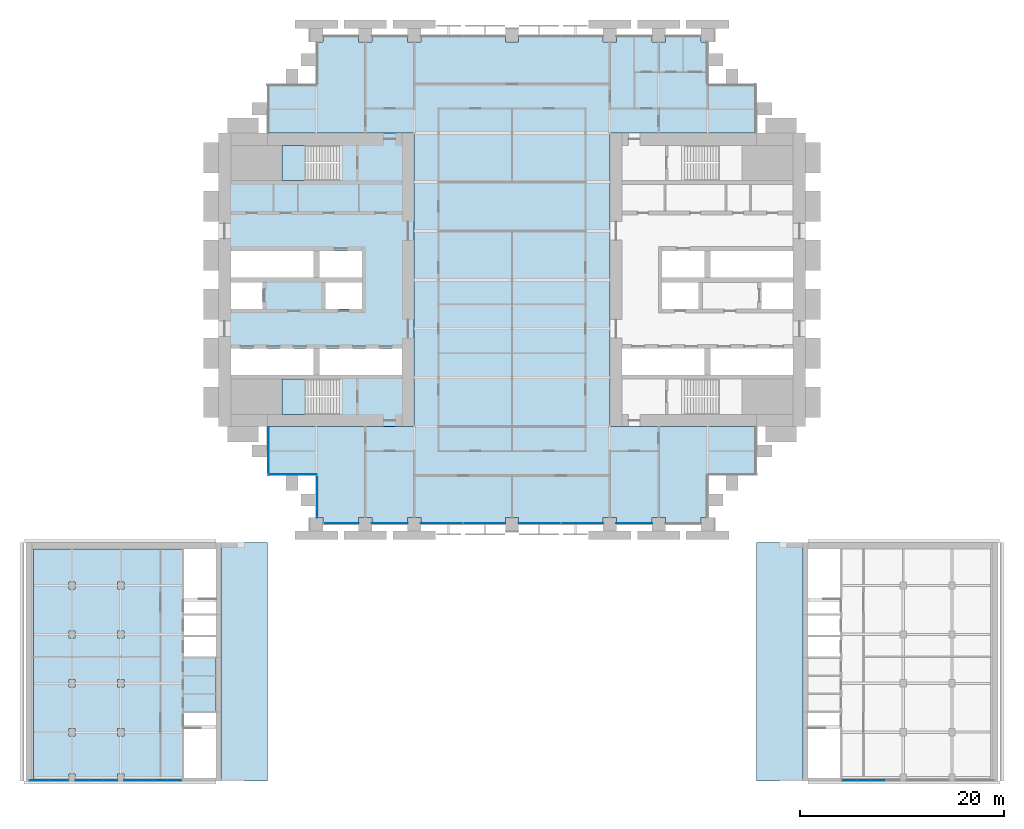
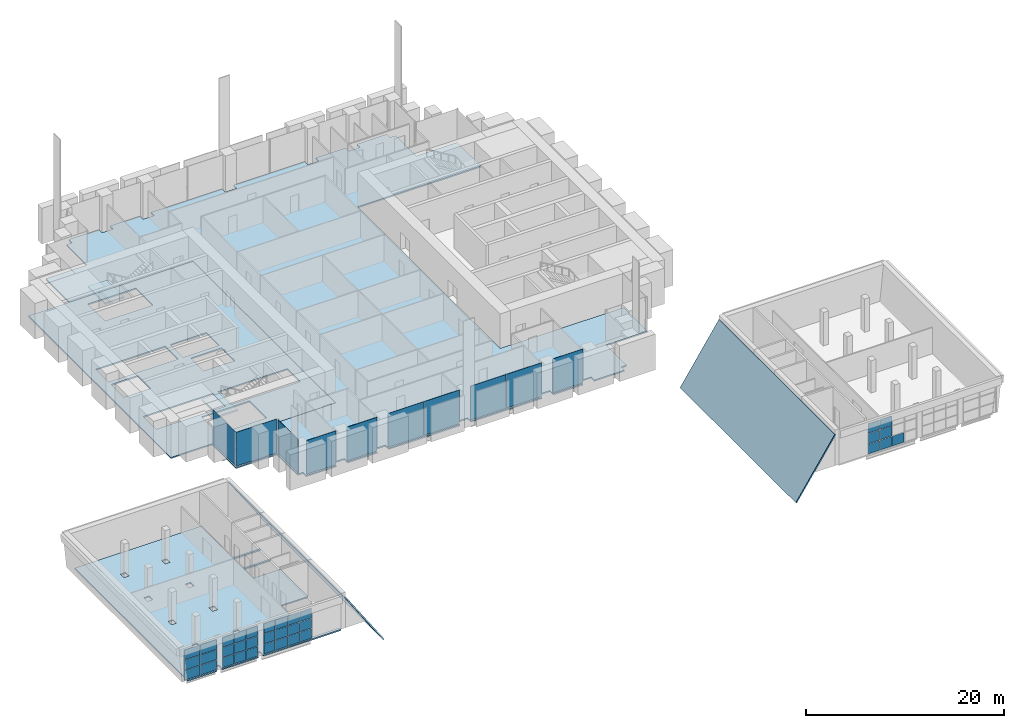
# One storey, part 14 of 22: 44 plates, 7 slabs, 10 elements without a shape of their own.
"""IFC4 building model written with IfcOpenShell, lengths in metres."""

from ifc_helpers import new_model, si_unit, direction, frame, origin, origin_2d, place, context, subcontext, project, spatial, polyline, rectangle, outline, extrude, material, layer, layer_set, type_object, element, aggregate, save


model = new_model("IFC4")

# Units and contexts
model_context = context("Model", 3, precision=1e-05, world=origin(), true_north=direction((0.0, 1.0)))
body_context = subcontext(model_context, "Body", "Model", "MODEL_VIEW")
ifc_project = project(units=[si_unit("LENGTHUNIT", "METRE"), si_unit("AREAUNIT", "SQUARE_METRE"), si_unit("VOLUMEUNIT", "CUBIC_METRE"), si_unit("PLANEANGLEUNIT", "RADIAN"), si_unit("MASSUNIT", "GRAM", prefix="KILO")], contexts=[model_context])

# Site, building, storey
site_placement = place(None, origin())
site = spatial("IfcSite", under=ifc_project, at=site_placement, CompositionType="ELEMENT")
building_placement = place(site_placement, origin())
building = spatial("IfcBuilding", under=site, at=building_placement, Name="Baori Bourse Tower", CompositionType="ELEMENT")
storey_placement = place(building_placement, frame((0.0, 0.0, 25.800048828125)))
storey = spatial("IfcBuildingStorey", under=building, at=storey_placement, Name="L04", CompositionType="ELEMENT", Elevation=25.800048828125)

# Curtain wall, plates
ifc_material_1 = material(Name="Pale anodised aluminium", Category="aluminium")
curtain_wall_type_1 = type_object("IfcCurtainWallType", Name="CW1 Curtain wall", PredefinedType="NOTDEFINED", material=ifc_material_1)
curtain_wall_1_placement = place(storey_placement, origin())
curtain_wall_1 = element("IfcCurtainWall", 1, at=curtain_wall_1_placement, inside=storey, type_object=curtain_wall_type_1, Name="Curtain wall CW1 L04 11", PredefinedType="NOTDEFINED")
ifc_material_2 = material(Name="Clear glass", Category="glass")
ifc_layer_1 = layer(ifc_material_2, 0.033935546875)
ifc_layer_set_1 = layer_set([ifc_layer_1], Name="CW1 Curtain wall panel")
plate_type_1 = type_object("IfcPlateType", Name="CW1 Curtain wall panel", PredefinedType="CURTAIN_PANEL", material=ifc_layer_set_1)
plate_1_placement = place(storey_placement, frame((12.030029296875, 0.10009765625, 0.080078125), z_axis=(0.0, 0.0, 1.0), x_axis=(1.0, 0.0, 0.0)))
plate_1 = element("IfcPlate", 2, at=plate_1_placement, type_object=plate_type_1, Name="Curtain wall CW1 panel", PredefinedType="CURTAIN_PANEL", context=body_context, shape_type="SweptSolid", body=[
    extrude(rectangle(XDim=3.43994140625, YDim=0.033935546875, at=origin_2d()), origin(), (0.0, 0.0, 1.0), 4.159912109375),
])
plate_2_placement = place(storey_placement, frame((16.800048828125, 0.10009765625, 0.080078125), z_axis=(0.0, 0.0, 1.0), x_axis=(1.0, 0.0, 0.0)))
plate_2 = element("IfcPlate", 3, at=plate_2_placement, type_object=plate_type_1, Name="Curtain wall CW1 panel", PredefinedType="CURTAIN_PANEL", context=body_context, shape_type="SweptSolid", body=[
    extrude(rectangle(XDim=3.5, YDim=0.033935546875, at=origin_2d()), origin(), (0.0, 0.0, 1.0), 4.159912109375),
])
plate_3_placement = place(storey_placement, frame((21.909912109375, 0.10009765625, 0.080078125), z_axis=(0.0, 0.0, 1.0), x_axis=(1.0, 0.0, 0.0)))
plate_3 = element("IfcPlate", 4, at=plate_3_placement, type_object=plate_type_1, Name="Curtain wall CW1 panel", PredefinedType="CURTAIN_PANEL", context=body_context, shape_type="SweptSolid", body=[
    extrude(rectangle(XDim=4.1201171875, YDim=0.033935546875, at=origin_2d()), origin(), (0.0, 0.0, 1.0), 4.159912109375),
])
plate_4_placement = place(storey_placement, frame((26.090087890625, 0.10009765625, 0.080078125), z_axis=(0.0, 0.0, 1.0), x_axis=(1.0, 0.0, 0.0)))
plate_4 = element("IfcPlate", 5, at=plate_4_placement, type_object=plate_type_1, Name="Curtain wall CW1 panel", PredefinedType="CURTAIN_PANEL", context=body_context, shape_type="SweptSolid", body=[
    extrude(rectangle(XDim=4.1201171875, YDim=0.033935546875, at=origin_2d()), origin(), (0.0, 0.0, 1.0), 4.159912109375),
])
plate_5_placement = place(storey_placement, frame((31.510009765625, 0.10009765625, 0.080078125), z_axis=(0.0, 0.0, 1.0), x_axis=(1.0, 0.0, 0.0)))
plate_5 = element("IfcPlate", 6, at=plate_5_placement, type_object=plate_type_1, Name="Curtain wall CW1 panel", PredefinedType="CURTAIN_PANEL", context=body_context, shape_type="SweptSolid", body=[
    extrude(rectangle(XDim=4.1201171875, YDim=0.033935546875, at=origin_2d()), origin(), (0.0, 0.0, 1.0), 4.159912109375),
])
plate_6_placement = place(storey_placement, frame((35.68994140625, 0.10009765625, 0.080078125), z_axis=(0.0, 0.0, 1.0), x_axis=(1.0, 0.0, 0.0)))
plate_6 = element("IfcPlate", 7, at=plate_6_placement, type_object=plate_type_1, Name="Curtain wall CW1 panel", PredefinedType="CURTAIN_PANEL", context=body_context, shape_type="SweptSolid", body=[
    extrude(rectangle(XDim=4.1201171875, YDim=0.033935546875, at=origin_2d()), origin(), (0.0, 0.0, 1.0), 4.159912109375),
])
plate_7_placement = place(storey_placement, frame((40.800048828125, 0.10009765625, 0.080078125), z_axis=(0.0, 0.0, 1.0), x_axis=(1.0, 0.0, 0.0)))
plate_7 = element("IfcPlate", 8, at=plate_7_placement, type_object=plate_type_1, Name="Curtain wall CW1 panel", PredefinedType="CURTAIN_PANEL", context=body_context, shape_type="SweptSolid", body=[
    extrude(rectangle(XDim=3.5, YDim=0.033935546875, at=origin_2d()), origin(), (0.0, 0.0, 1.0), 4.159912109375),
])
aggregate(curtain_wall_1, [plate_1, plate_2, plate_3, plate_4, plate_5, plate_6, plate_7])

# Curtain wall, plate
ifc_material_3 = material(Name="Pale anodised aluminium", Category="aluminium")
curtain_wall_type_2 = type_object("IfcCurtainWallType", Name="CW2 Curtain wall", PredefinedType="NOTDEFINED", material=ifc_material_3)
curtain_wall_2_placement = place(storey_placement, origin())
curtain_wall_2 = element("IfcCurtainWall", 9, at=curtain_wall_2_placement, inside=storey, type_object=curtain_wall_type_2, Name="Curtain wall CW2 L04 8", PredefinedType="NOTDEFINED")
ifc_material_4 = material(Name="Clear glass", Category="glass")
ifc_layer_2 = layer(ifc_material_4, 0.030029296875)
ifc_layer_set_2 = layer_set([ifc_layer_2], Name="CW2 Curtain wall panel")
plate_type_2 = type_object("IfcPlateType", Name="CW2 Curtain wall panel", PredefinedType="CURTAIN_PANEL", material=ifc_layer_set_2)
plate_8_placement = place(storey_placement, frame((4.889892578125, 7.172607421875, 0.070068359375), z_axis=(0.0, 0.0, 1.0), x_axis=(0.0, -1.0, 0.0)))
plate_8 = element("IfcPlate", 10, at=plate_8_placement, type_object=plate_type_2, Name="Curtain wall CW2 panel", PredefinedType="CURTAIN_PANEL", context=body_context, shape_type="SweptSolid", body=[
    extrude(rectangle(XDim=4.7451171875, YDim=0.030029296875, at=origin_2d()), origin(), (0.0, 0.0, 1.0), 4.169921875),
])
aggregate(curtain_wall_2, [plate_8])

curtain_wall_3_placement = place(storey_placement, origin())
curtain_wall_3 = element("IfcCurtainWall", 11, at=curtain_wall_3_placement, inside=storey, type_object=curtain_wall_type_2, Name="Curtain wall CW2 L04 9", PredefinedType="NOTDEFINED")
plate_9_placement = place(storey_placement, frame((7.2275390625, 4.889892578125, 0.070068359375), z_axis=(0.0, 0.0, 1.0), x_axis=(1.0, 0.0, 0.0)))
plate_9 = element("IfcPlate", 12, at=plate_9_placement, type_object=plate_type_2, Name="Curtain wall CW2 panel", PredefinedType="CURTAIN_PANEL", context=body_context, shape_type="SweptSolid", body=[
    extrude(rectangle(XDim=4.7451171875, YDim=0.030029296875, at=origin_2d()), origin(), (0.0, 0.0, 1.0), 4.169921875),
])
aggregate(curtain_wall_3, [plate_9])

curtain_wall_4_placement = place(storey_placement, origin())
curtain_wall_4 = element("IfcCurtainWall", 13, at=curtain_wall_4_placement, inside=storey, type_object=curtain_wall_type_2, Name="Curtain wall CW2 L04 10", PredefinedType="NOTDEFINED")
plate_10_placement = place(storey_placement, frame((9.68994140625, 2.697509765625, 0.070068359375), z_axis=(0.0, 0.0, 1.0), x_axis=(0.0, -1.0, 0.0)))
plate_10 = element("IfcPlate", 14, at=plate_10_placement, type_object=plate_type_2, Name="Curtain wall CW2 panel", PredefinedType="CURTAIN_PANEL", context=body_context, shape_type="SweptSolid", body=[
    extrude(rectangle(XDim=4.094970703125, YDim=0.030029296875, at=origin_2d()), origin(), (0.0, 0.0, 1.0), 4.169921875),
])
aggregate(curtain_wall_4, [plate_10])

# Slab
ifc_material_5 = material(Name="Concrete f'c 50 MPa", Category="concrete")
ifc_layer_3 = layer(ifc_material_5, 0.159912109375)
ifc_layer_set_3 = layer_set([ifc_layer_3], Name="Core slab 160")
slab_type_1 = type_object("IfcSlabType", Name="Core slab 160", PredefinedType="FLOOR", material=ifc_layer_set_3)
slab_1_placement = place(storey_placement, frame((0.0, 0.0, -0.16015625)))
element("IfcSlab", 15, at=slab_1_placement, inside=storey, type_object=slab_type_1, Name="Core floor slab W01", PredefinedType="FLOOR", context=body_context, shape_type="SweptSolid", body=[
    extrude(outline(polyline([(19.199951171875, 9.60009765625), (19.199951171875, 38.39990234375), (0.0, 38.39990234375), (0.0, 9.60009765625), (19.199951171875, 9.60009765625)]), holes=[polyline([(9.89990234375, 14.64990234375), (9.89990234375, 17.25), (18.0, 17.25), (18.0, 14.64990234375), (9.89990234375, 14.64990234375)]), polyline([(10.5, 21.14990234375), (10.5, 23.75), (14.10009765625, 23.75), (14.10009765625, 21.14990234375), (10.5, 21.14990234375)]), polyline([(14.10009765625, 24.25), (9.89990234375, 24.25), (9.89990234375, 26.85009765625), (14.10009765625, 26.85009765625), (14.10009765625, 24.25)]), polyline([(6.25, 14.25), (11.84912109375, 14.25), (11.84912109375, 10.800048828125), (6.25, 10.800048828125), (6.25, 14.25)]), polyline([(11.84912109375, 37.199951171875), (11.84912109375, 33.75), (6.25, 33.75), (6.25, 37.199951171875), (11.84912109375, 37.199951171875)]), polyline([(1.199951171875, 26.85009765625), (9.300048828125, 26.85009765625), (9.300048828125, 24.25), (1.199951171875, 24.25), (1.199951171875, 26.85009765625)]), polyline([(9.300048828125, 14.64990234375), (1.199951171875, 14.64990234375), (1.199951171875, 17.25), (9.300048828125, 17.25), (9.300048828125, 14.64990234375)]), polyline([(4.300048828125, 23.75), (4.300048828125, 21.14990234375), (1.199951171875, 21.14990234375), (1.199951171875, 23.75), (4.300048828125, 23.75)])]), origin(), (0.0, 0.0, 1.0), 0.16015625),
])

# Stair, slab
ifc_material_6 = material(Name="Concrete f'c 50 MPa", Category="concrete")
stair_type = type_object("IfcStairType", Name="Core stair", PredefinedType="HALF_TURN_STAIR", material=ifc_material_6)
stair_1_placement = place(storey_placement, origin())
stair_1 = element("IfcStair", 16, at=stair_1_placement, inside=storey, type_object=stair_type, Name="L04 Stair WA", PredefinedType="HALF_TURN_STAIR")
ifc_material_7 = material(Name="Concrete f'c 50 MPa", Category="concrete")
slab_type_2 = type_object("IfcSlabType", Name="Core stair landing", PredefinedType="LANDING", material=ifc_material_7)
slab_2_placement = place(storey_placement, frame((0.0, 0.0, 2.0)))
slab_2 = element("IfcSlab", 17, at=slab_2_placement, type_object=slab_type_2, Name="ST1 landing 1", PredefinedType="LANDING", context=body_context, shape_type="SweptSolid", body=[
    extrude(outline(polyline([(8.489990234375, 14.25), (6.25, 14.25), (6.25, 10.800048828125), (8.489990234375, 10.800048828125), (8.489990234375, 14.25)])), origin(), (0.0, 0.0, 1.0), 0.199951171875),
])
aggregate(stair_1, [slab_2])

stair_2_placement = place(storey_placement, origin())
stair_2 = element("IfcStair", 18, at=stair_2_placement, inside=storey, type_object=stair_type, Name="L04 Stair WB", PredefinedType="HALF_TURN_STAIR")
slab_3_placement = place(storey_placement, frame((0.0, 0.0, 2.0)))
slab_3 = element("IfcSlab", 19, at=slab_3_placement, type_object=slab_type_2, Name="ST2 landing 1", PredefinedType="LANDING", context=body_context, shape_type="SweptSolid", body=[
    extrude(outline(polyline([(8.489990234375, 37.199951171875), (6.25, 37.199951171875), (6.25, 33.75), (8.489990234375, 33.75), (8.489990234375, 37.199951171875)])), origin(), (0.0, 0.0, 1.0), 0.199951171875),
])
aggregate(stair_2, [slab_3])

# Slabs
ifc_material_8 = material(Name="Concrete f'c 40 MPa", Category="concrete")
ifc_layer_4 = layer(ifc_material_8, 0.159912109375)
ifc_layer_set_4 = layer_set([ifc_layer_4], Name="Floor slab 160")
slab_type_3 = type_object("IfcSlabType", Name="Floor slab 160", PredefinedType="FLOOR", material=ifc_layer_set_4)
slab_4_placement = place(storey_placement, frame((0.0, 0.0, -0.16015625)))
element("IfcSlab", 20, at=slab_4_placement, inside=storey, type_object=slab_type_3, Name="Floor slab L04", PredefinedType="FLOOR", context=body_context, shape_type="SweptSolid", body=[
    extrude(outline(polyline([(9.60009765625, 4.800048828125), (4.800048828125, 4.800048828125), (4.800048828125, 9.60009765625), (19.199951171875, 9.60009765625), (19.199951171875, 38.39990234375), (4.800048828125, 38.39990234375), (4.800048828125, 43.199951171875), (9.60009765625, 43.199951171875), (9.60009765625, 47.35009765625), (10.25, 47.35009765625), (10.25, 48.0), (13.75, 48.0), (13.75, 47.35009765625), (15.050048828125, 47.35009765625), (15.050048828125, 48.0), (18.550048828125, 48.0), (18.550048828125, 47.35009765625), (19.85009765625, 47.35009765625), (19.85009765625, 48.0), (28.14990234375, 48.0), (28.14990234375, 47.35009765625), (29.449951171875, 47.35009765625), (29.449951171875, 48.0), (37.75, 48.0), (37.75, 47.35009765625), (39.050048828125, 47.35009765625), (39.050048828125, 48.0), (42.550048828125, 48.0), (42.550048828125, 47.35009765625), (43.85009765625, 47.35009765625), (43.85009765625, 48.0), (47.35009765625, 48.0), (47.35009765625, 47.35009765625), (48.0, 47.35009765625), (48.0, 43.199951171875), (52.800048828125, 43.199951171875), (52.800048828125, 38.39990234375), (38.39990234375, 38.39990234375), (38.39990234375, 9.60009765625), (52.800048828125, 9.60009765625), (52.800048828125, 4.800048828125), (48.0, 4.800048828125), (48.0, 0.64990234375), (47.35009765625, 0.64990234375), (47.35009765625, 0.0), (43.85009765625, 0.0), (43.85009765625, 0.64990234375), (42.550048828125, 0.64990234375), (42.550048828125, 0.0), (39.050048828125, 0.0), (39.050048828125, 0.64990234375), (37.75, 0.64990234375), (37.75, 0.0), (29.449951171875, 0.0), (29.449951171875, 0.64990234375), (28.14990234375, 0.64990234375), (28.14990234375, 0.0), (19.85009765625, 0.0), (19.85009765625, 0.64990234375), (18.550048828125, 0.64990234375), (18.550048828125, 0.0), (15.050048828125, 0.0), (15.050048828125, 0.64990234375), (13.75, 0.64990234375), (13.75, 0.0), (10.25, 0.0), (10.25, 0.64990234375), (9.60009765625, 0.64990234375), (9.60009765625, 4.800048828125)])), origin(), (0.0, 0.0, 1.0), 0.16015625),
])
ifc_material_9 = material(Name="Concrete f'c 40 MPa", Category="concrete")
ifc_layer_5 = layer(ifc_material_9, 0.14990234375)
ifc_layer_set_5 = layer_set([ifc_layer_5], Name="Hall roof deck 150")
slab_type_4 = type_object("IfcSlabType", Name="Hall roof deck 150", PredefinedType="ROOF", material=ifc_layer_set_5)
for number, where, z_axis, x_axis, name in (
    (21, (0.25, -25.199951171875, 3.87939453125), (0.832921785998, 0.0, 0.553390728518), (0.553390728518, 0.0, -0.832921785998), "wing/L04/deck/001"),
    (22, (52.800048828125, -25.199951171875, -2.968994140625), (-0.832921785998, 0.0, 0.553390728518), (0.553390728518, 0.0, 0.832921785998), "wing/L04/deck/002"),
):
    element("IfcSlab", number, at=place(storey_placement, frame(where, z_axis=z_axis, x_axis=x_axis)), inside=storey, type_object=slab_type_4, Name=name, PredefinedType="ROOF", context=body_context, shape_type="SweptSolid", body=[
        extrude(outline(polyline([(0.0, 0.0), (8.222126959576062, 0.0), (8.222126959576062, 23.39990234375), (0.0, 23.39990234375), (0.0, 0.0)])), origin(), (0.0, 0.0, -1.0), 0.14990234375),
    ])
ifc_material_10 = material(Name="Concrete f'c 40 MPa", Category="concrete")
ifc_layer_6 = layer(ifc_material_10, 0.159912109375)
ifc_layer_set_6 = layer_set([ifc_layer_6], Name="Wing floor slab 160")
slab_type_5 = type_object("IfcSlabType", Name="Wing floor slab 160", PredefinedType="FLOOR", material=ifc_layer_set_6)
slab_5_placement = place(storey_placement, frame((0.0, 0.0, -0.16015625)))
element("IfcSlab", 23, at=slab_5_placement, inside=storey, type_object=slab_type_5, Name="wing/L04/Wfloor/001", PredefinedType="FLOOR", context=body_context, shape_type="SweptSolid", body=[
    extrude(outline(polyline([(-0.25, -10.860107421875), (-3.39990234375, -10.860107421875), (-3.39990234375, -8.9599609375), (-0.25, -8.9599609375), (-0.25, -8.760009765625), (-3.39990234375, -8.760009765625), (-3.39990234375, -2.39990234375), (-18.158203125, -2.39990234375), (-18.158203125, -25.199951171875), (-14.699951171875, -25.199951171875), (-14.699951171875, -24.5), (-14.10009765625, -24.5), (-14.10009765625, -25.199951171875), (-9.89990234375, -25.199951171875), (-9.89990234375, -24.5), (-9.300048828125, -24.5), (-9.300048828125, -25.199951171875), (-0.25, -25.199951171875), (-0.25, -24.89990234375), (-3.39990234375, -24.89990234375), (-3.39990234375, -18.5400390625), (-0.25, -18.5400390625), (-0.25, -12.9599609375), (-3.39990234375, -12.9599609375), (-3.39990234375, -11.06005859375), (-0.25, -11.06005859375), (-0.25, -10.860107421875)]), holes=[polyline([(-14.699951171875, -20.050048828125), (-14.699951171875, -20.75), (-14.10009765625, -20.75), (-14.10009765625, -20.050048828125), (-14.699951171875, -20.050048828125)]), polyline([(-14.10009765625, -15.25), (-14.699951171875, -15.25), (-14.699951171875, -15.949951171875), (-14.10009765625, -15.949951171875), (-14.10009765625, -15.25)]), polyline([(-14.10009765625, -11.14990234375), (-14.10009765625, -10.449951171875), (-14.699951171875, -10.449951171875), (-14.699951171875, -11.14990234375), (-14.10009765625, -11.14990234375)]), polyline([(-14.699951171875, -6.35009765625), (-14.10009765625, -6.35009765625), (-14.10009765625, -5.64990234375), (-14.699951171875, -5.64990234375), (-14.699951171875, -6.35009765625)]), polyline([(-9.300048828125, -20.050048828125), (-9.89990234375, -20.050048828125), (-9.89990234375, -20.75), (-9.300048828125, -20.75), (-9.300048828125, -20.050048828125)]), polyline([(-9.300048828125, -15.949951171875), (-9.300048828125, -15.25), (-9.89990234375, -15.25), (-9.89990234375, -15.949951171875), (-9.300048828125, -15.949951171875)]), polyline([(-9.89990234375, -11.14990234375), (-9.300048828125, -11.14990234375), (-9.300048828125, -10.449951171875), (-9.89990234375, -10.449951171875), (-9.89990234375, -11.14990234375)]), polyline([(-9.89990234375, -5.64990234375), (-9.89990234375, -6.35009765625), (-9.300048828125, -6.35009765625), (-9.300048828125, -5.64990234375), (-9.89990234375, -5.64990234375)])]), origin(), (0.0, 0.0, 1.0), 0.16015625),
])

# Curtain wall, plates
ifc_material_11 = material(Name="Pale anodised aluminium", Category="aluminium")
ifc_layer_7 = layer(ifc_material_11, 0.10009765625)
ifc_layer_set_7 = layer_set([ifc_layer_7], Name="Wing curtain wall")
curtain_wall_type_3 = type_object("IfcCurtainWallType", Name="Wing curtain wall", PredefinedType="NOTDEFINED", material=ifc_layer_set_7)
curtain_wall_5_placement = place(storey_placement, origin())
curtain_wall_5 = element("IfcCurtainWall", 24, at=curtain_wall_5_placement, inside=storey, type_object=curtain_wall_type_3, Name="wing/L04/Wcw/001", PredefinedType="NOTDEFINED")
ifc_material_12 = material(Name="Clear glass", Category="glass")
ifc_layer_8 = layer(ifc_material_12, 0.028076171875)
ifc_layer_set_8 = layer_set([ifc_layer_8], Name="Wing glass panel 28")
plate_type_3 = type_object("IfcPlateType", Name="Wing glass panel 28", PredefinedType="CURTAIN_PANEL", material=ifc_layer_set_8)
plate_11_placement = place(storey_placement, frame((-17.58642578125, -25.14990234375, 0.06005859375), z_axis=(0.0, 0.0, 1.0), x_axis=(1.0, 0.0, 0.0)))
plate_11 = element("IfcPlate", 25, at=plate_11_placement, type_object=plate_type_3, Name="X12 panel 1.1", PredefinedType="CURTAIN_PANEL", context=body_context, shape_type="SweptSolid", body=[
    extrude(rectangle(XDim=1.84423828125, YDim=0.028076171875, at=origin_2d()), origin(), (0.0, 0.0, 1.0), 1.193359375),
])
plate_12_placement = place(storey_placement, frame((-17.58642578125, -25.14990234375, 1.3134765625), z_axis=(0.0, 0.0, 1.0), x_axis=(1.0, 0.0, 0.0)))
plate_12 = element("IfcPlate", 26, at=plate_12_placement, type_object=plate_type_3, Name="X12 panel 1.2", PredefinedType="CURTAIN_PANEL", context=body_context, shape_type="SweptSolid", body=[
    extrude(rectangle(XDim=1.84423828125, YDim=0.028076171875, at=origin_2d()), origin(), (0.0, 0.0, 1.0), 1.223388671875),
])
plate_13_placement = place(storey_placement, frame((-17.58642578125, -25.14990234375, 2.5966796875), z_axis=(0.0, 0.0, 1.0), x_axis=(1.0, 0.0, 0.0)))
plate_13 = element("IfcPlate", 27, at=plate_13_placement, type_object=plate_type_3, Name="X12 panel 1.3", PredefinedType="CURTAIN_PANEL", context=body_context, shape_type="SweptSolid", body=[
    extrude(rectangle(XDim=1.84423828125, YDim=0.028076171875, at=origin_2d()), origin(), (0.0, 0.0, 1.0), 1.193359375),
])
plate_14_placement = place(storey_placement, frame((-15.68212890625, -25.14990234375, 0.06005859375), z_axis=(0.0, 0.0, 1.0), x_axis=(1.0, 0.0, 0.0)))
plate_14 = element("IfcPlate", 28, at=plate_14_placement, type_object=plate_type_3, Name="X12 panel 2.1", PredefinedType="CURTAIN_PANEL", context=body_context, shape_type="SweptSolid", body=[
    extrude(rectangle(XDim=1.84423828125, YDim=0.028076171875, at=origin_2d()), origin(), (0.0, 0.0, 1.0), 1.193359375),
])
plate_15_placement = place(storey_placement, frame((-15.68212890625, -25.14990234375, 1.3134765625), z_axis=(0.0, 0.0, 1.0), x_axis=(1.0, 0.0, 0.0)))
plate_15 = element("IfcPlate", 29, at=plate_15_placement, type_object=plate_type_3, Name="X12 panel 2.2", PredefinedType="CURTAIN_PANEL", context=body_context, shape_type="SweptSolid", body=[
    extrude(rectangle(XDim=1.84423828125, YDim=0.028076171875, at=origin_2d()), origin(), (0.0, 0.0, 1.0), 1.223388671875),
])
plate_16_placement = place(storey_placement, frame((-15.68212890625, -25.14990234375, 2.5966796875), z_axis=(0.0, 0.0, 1.0), x_axis=(1.0, 0.0, 0.0)))
plate_16 = element("IfcPlate", 30, at=plate_16_placement, type_object=plate_type_3, Name="X12 panel 2.3", PredefinedType="CURTAIN_PANEL", context=body_context, shape_type="SweptSolid", body=[
    extrude(rectangle(XDim=1.84423828125, YDim=0.028076171875, at=origin_2d()), origin(), (0.0, 0.0, 1.0), 1.193359375),
])
aggregate(curtain_wall_5, [plate_11, plate_12, plate_13, plate_14, plate_15, plate_16])

curtain_wall_6_placement = place(storey_placement, origin())
curtain_wall_6 = element("IfcCurtainWall", 31, at=curtain_wall_6_placement, inside=storey, type_object=curtain_wall_type_3, Name="wing/L04/Wcw/002", PredefinedType="NOTDEFINED")
plate_17_placement = place(storey_placement, frame((-13.385009765625, -25.14990234375, 0.06005859375), z_axis=(0.0, 0.0, 1.0), x_axis=(1.0, 0.0, 0.0)))
plate_17 = element("IfcPlate", 32, at=plate_17_placement, type_object=plate_type_3, Name="X12 panel 1.1", PredefinedType="CURTAIN_PANEL", context=body_context, shape_type="SweptSolid", body=[
    extrude(rectangle(XDim=1.31005859375, YDim=0.028076171875, at=origin_2d()), origin(), (0.0, 0.0, 1.0), 1.193359375),
])
plate_18_placement = place(storey_placement, frame((-13.385009765625, -25.14990234375, 1.3134765625), z_axis=(0.0, 0.0, 1.0), x_axis=(1.0, 0.0, 0.0)))
plate_18 = element("IfcPlate", 33, at=plate_18_placement, type_object=plate_type_3, Name="X12 panel 1.2", PredefinedType="CURTAIN_PANEL", context=body_context, shape_type="SweptSolid", body=[
    extrude(rectangle(XDim=1.31005859375, YDim=0.028076171875, at=origin_2d()), origin(), (0.0, 0.0, 1.0), 1.223388671875),
])
plate_19_placement = place(storey_placement, frame((-13.385009765625, -25.14990234375, 2.5966796875), z_axis=(0.0, 0.0, 1.0), x_axis=(1.0, 0.0, 0.0)))
plate_19 = element("IfcPlate", 34, at=plate_19_placement, type_object=plate_type_3, Name="X12 panel 1.3", PredefinedType="CURTAIN_PANEL", context=body_context, shape_type="SweptSolid", body=[
    extrude(rectangle(XDim=1.31005859375, YDim=0.028076171875, at=origin_2d()), origin(), (0.0, 0.0, 1.0), 1.193359375),
])
plate_20_placement = place(storey_placement, frame((-12.0, -25.14990234375, 0.06005859375), z_axis=(0.0, 0.0, 1.0), x_axis=(1.0, 0.0, 0.0)))
plate_20 = element("IfcPlate", 35, at=plate_20_placement, type_object=plate_type_3, Name="X12 panel 2.1", PredefinedType="CURTAIN_PANEL", context=body_context, shape_type="SweptSolid", body=[
    extrude(rectangle(XDim=1.340087890625, YDim=0.028076171875, at=origin_2d()), origin(), (0.0, 0.0, 1.0), 1.193359375),
])
plate_21_placement = place(storey_placement, frame((-12.0, -25.14990234375, 1.3134765625), z_axis=(0.0, 0.0, 1.0), x_axis=(1.0, 0.0, 0.0)))
plate_21 = element("IfcPlate", 36, at=plate_21_placement, type_object=plate_type_3, Name="X12 panel 2.2", PredefinedType="CURTAIN_PANEL", context=body_context, shape_type="SweptSolid", body=[
    extrude(rectangle(XDim=1.340087890625, YDim=0.028076171875, at=origin_2d()), origin(), (0.0, 0.0, 1.0), 1.223388671875),
])
plate_22_placement = place(storey_placement, frame((-12.0, -25.14990234375, 2.5966796875), z_axis=(0.0, 0.0, 1.0), x_axis=(1.0, 0.0, 0.0)))
plate_22 = element("IfcPlate", 37, at=plate_22_placement, type_object=plate_type_3, Name="X12 panel 2.3", PredefinedType="CURTAIN_PANEL", context=body_context, shape_type="SweptSolid", body=[
    extrude(rectangle(XDim=1.340087890625, YDim=0.028076171875, at=origin_2d()), origin(), (0.0, 0.0, 1.0), 1.193359375),
])
plate_23_placement = place(storey_placement, frame((-10.614990234375, -25.14990234375, 0.06005859375), z_axis=(0.0, 0.0, 1.0), x_axis=(1.0, 0.0, 0.0)))
plate_23 = element("IfcPlate", 38, at=plate_23_placement, type_object=plate_type_3, Name="X12 panel 3.1", PredefinedType="CURTAIN_PANEL", context=body_context, shape_type="SweptSolid", body=[
    extrude(rectangle(XDim=1.31005859375, YDim=0.028076171875, at=origin_2d()), origin(), (0.0, 0.0, 1.0), 1.193359375),
])
plate_24_placement = place(storey_placement, frame((-10.614990234375, -25.14990234375, 1.3134765625), z_axis=(0.0, 0.0, 1.0), x_axis=(1.0, 0.0, 0.0)))
plate_24 = element("IfcPlate", 39, at=plate_24_placement, type_object=plate_type_3, Name="X12 panel 3.2", PredefinedType="CURTAIN_PANEL", context=body_context, shape_type="SweptSolid", body=[
    extrude(rectangle(XDim=1.31005859375, YDim=0.028076171875, at=origin_2d()), origin(), (0.0, 0.0, 1.0), 1.223388671875),
])
plate_25_placement = place(storey_placement, frame((-10.614990234375, -25.14990234375, 2.5966796875), z_axis=(0.0, 0.0, 1.0), x_axis=(1.0, 0.0, 0.0)))
plate_25 = element("IfcPlate", 40, at=plate_25_placement, type_object=plate_type_3, Name="X12 panel 3.3", PredefinedType="CURTAIN_PANEL", context=body_context, shape_type="SweptSolid", body=[
    extrude(rectangle(XDim=1.31005859375, YDim=0.028076171875, at=origin_2d()), origin(), (0.0, 0.0, 1.0), 1.193359375),
])
aggregate(curtain_wall_6, [plate_17, plate_18, plate_19, plate_20, plate_21, plate_22, plate_23, plate_24, plate_25])

curtain_wall_7_placement = place(storey_placement, origin())
curtain_wall_7 = element("IfcCurtainWall", 41, at=curtain_wall_7_placement, inside=storey, type_object=curtain_wall_type_3, Name="wing/L04/Wcw/003", PredefinedType="NOTDEFINED")
plate_26_placement = place(storey_placement, frame((-8.572509765625, -25.14990234375, 0.06005859375), z_axis=(0.0, 0.0, 1.0), x_axis=(1.0, 0.0, 0.0)))
plate_26 = element("IfcPlate", 42, at=plate_26_placement, type_object=plate_type_3, Name="X12 panel 1.1", PredefinedType="CURTAIN_PANEL", context=body_context, shape_type="SweptSolid", body=[
    extrude(rectangle(XDim=1.3349609375, YDim=0.028076171875, at=origin_2d()), origin(), (0.0, 0.0, 1.0), 1.193359375),
])
plate_27_placement = place(storey_placement, frame((-8.572509765625, -25.14990234375, 1.3134765625), z_axis=(0.0, 0.0, 1.0), x_axis=(1.0, 0.0, 0.0)))
plate_27 = element("IfcPlate", 43, at=plate_27_placement, type_object=plate_type_3, Name="X12 panel 1.2", PredefinedType="CURTAIN_PANEL", context=body_context, shape_type="SweptSolid", body=[
    extrude(rectangle(XDim=1.3349609375, YDim=0.028076171875, at=origin_2d()), origin(), (0.0, 0.0, 1.0), 1.223388671875),
])
plate_28_placement = place(storey_placement, frame((-8.572509765625, -25.14990234375, 2.5966796875), z_axis=(0.0, 0.0, 1.0), x_axis=(1.0, 0.0, 0.0)))
plate_28 = element("IfcPlate", 44, at=plate_28_placement, type_object=plate_type_3, Name="X12 panel 1.3", PredefinedType="CURTAIN_PANEL", context=body_context, shape_type="SweptSolid", body=[
    extrude(rectangle(XDim=1.3349609375, YDim=0.028076171875, at=origin_2d()), origin(), (0.0, 0.0, 1.0), 1.193359375),
])
plate_29_placement = place(storey_placement, frame((-7.16259765625, -25.14990234375, 0.06005859375), z_axis=(0.0, 0.0, 1.0), x_axis=(1.0, 0.0, 0.0)))
plate_29 = element("IfcPlate", 45, at=plate_29_placement, type_object=plate_type_3, Name="X12 panel 2.1", PredefinedType="CURTAIN_PANEL", context=body_context, shape_type="SweptSolid", body=[
    extrude(rectangle(XDim=1.364990234375, YDim=0.028076171875, at=origin_2d()), origin(), (0.0, 0.0, 1.0), 1.193359375),
])
plate_30_placement = place(storey_placement, frame((-7.16259765625, -25.14990234375, 1.3134765625), z_axis=(0.0, 0.0, 1.0), x_axis=(1.0, 0.0, 0.0)))
plate_30 = element("IfcPlate", 46, at=plate_30_placement, type_object=plate_type_3, Name="X12 panel 2.2", PredefinedType="CURTAIN_PANEL", context=body_context, shape_type="SweptSolid", body=[
    extrude(rectangle(XDim=1.364990234375, YDim=0.028076171875, at=origin_2d()), origin(), (0.0, 0.0, 1.0), 1.223388671875),
])
plate_31_placement = place(storey_placement, frame((-7.16259765625, -25.14990234375, 2.5966796875), z_axis=(0.0, 0.0, 1.0), x_axis=(1.0, 0.0, 0.0)))
plate_31 = element("IfcPlate", 47, at=plate_31_placement, type_object=plate_type_3, Name="X12 panel 2.3", PredefinedType="CURTAIN_PANEL", context=body_context, shape_type="SweptSolid", body=[
    extrude(rectangle(XDim=1.364990234375, YDim=0.028076171875, at=origin_2d()), origin(), (0.0, 0.0, 1.0), 1.193359375),
])
plate_32_placement = place(storey_placement, frame((-5.737548828125, -25.14990234375, 0.06005859375), z_axis=(0.0, 0.0, 1.0), x_axis=(1.0, 0.0, 0.0)))
plate_32 = element("IfcPlate", 48, at=plate_32_placement, type_object=plate_type_3, Name="X12 panel 3.1", PredefinedType="CURTAIN_PANEL", context=body_context, shape_type="SweptSolid", body=[
    extrude(rectangle(XDim=1.364990234375, YDim=0.028076171875, at=origin_2d()), origin(), (0.0, 0.0, 1.0), 1.193359375),
])
plate_33_placement = place(storey_placement, frame((-5.737548828125, -25.14990234375, 1.3134765625), z_axis=(0.0, 0.0, 1.0), x_axis=(1.0, 0.0, 0.0)))
plate_33 = element("IfcPlate", 49, at=plate_33_placement, type_object=plate_type_3, Name="X12 panel 3.2", PredefinedType="CURTAIN_PANEL", context=body_context, shape_type="SweptSolid", body=[
    extrude(rectangle(XDim=1.364990234375, YDim=0.028076171875, at=origin_2d()), origin(), (0.0, 0.0, 1.0), 1.223388671875),
])
plate_34_placement = place(storey_placement, frame((-5.737548828125, -25.14990234375, 2.5966796875), z_axis=(0.0, 0.0, 1.0), x_axis=(1.0, 0.0, 0.0)))
plate_34 = element("IfcPlate", 50, at=plate_34_placement, type_object=plate_type_3, Name="X12 panel 3.3", PredefinedType="CURTAIN_PANEL", context=body_context, shape_type="SweptSolid", body=[
    extrude(rectangle(XDim=1.364990234375, YDim=0.028076171875, at=origin_2d()), origin(), (0.0, 0.0, 1.0), 1.193359375),
])
plate_35_placement = place(storey_placement, frame((-4.327392578125, -25.14990234375, 0.06005859375), z_axis=(0.0, 0.0, 1.0), x_axis=(1.0, 0.0, 0.0)))
plate_35 = element("IfcPlate", 51, at=plate_35_placement, type_object=plate_type_3, Name="X12 panel 4.1", PredefinedType="CURTAIN_PANEL", context=body_context, shape_type="SweptSolid", body=[
    extrude(rectangle(XDim=1.3349609375, YDim=0.028076171875, at=origin_2d()), origin(), (0.0, 0.0, 1.0), 1.193359375),
])
plate_36_placement = place(storey_placement, frame((-4.327392578125, -25.14990234375, 1.3134765625), z_axis=(0.0, 0.0, 1.0), x_axis=(1.0, 0.0, 0.0)))
plate_36 = element("IfcPlate", 52, at=plate_36_placement, type_object=plate_type_3, Name="X12 panel 4.2", PredefinedType="CURTAIN_PANEL", context=body_context, shape_type="SweptSolid", body=[
    extrude(rectangle(XDim=1.3349609375, YDim=0.028076171875, at=origin_2d()), origin(), (0.0, 0.0, 1.0), 1.223388671875),
])
plate_37_placement = place(storey_placement, frame((-4.327392578125, -25.14990234375, 2.5966796875), z_axis=(0.0, 0.0, 1.0), x_axis=(1.0, 0.0, 0.0)))
plate_37 = element("IfcPlate", 53, at=plate_37_placement, type_object=plate_type_3, Name="X12 panel 4.3", PredefinedType="CURTAIN_PANEL", context=body_context, shape_type="SweptSolid", body=[
    extrude(rectangle(XDim=1.3349609375, YDim=0.028076171875, at=origin_2d()), origin(), (0.0, 0.0, 1.0), 1.193359375),
])
aggregate(curtain_wall_7, [plate_26, plate_27, plate_28, plate_29, plate_30, plate_31, plate_32, plate_33, plate_34, plate_35, plate_36, plate_37])

curtain_wall_8_placement = place(storey_placement, origin())
curtain_wall_8 = element("IfcCurtainWall", 54, at=curtain_wall_8_placement, inside=storey, type_object=curtain_wall_type_3, Name="wing/L04/Ecw/003", PredefinedType="NOTDEFINED")
plate_38_placement = place(storey_placement, frame((61.927490234375, -25.14990234375, 0.06005859375), z_axis=(0.0, 0.0, 1.0), x_axis=(1.0, 0.0, 0.0)))
plate_38 = element("IfcPlate", 55, at=plate_38_placement, type_object=plate_type_3, Name="X12 panel 1.1", PredefinedType="CURTAIN_PANEL", context=body_context, shape_type="SweptSolid", body=[
    extrude(rectangle(XDim=1.3349609375, YDim=0.028076171875, at=origin_2d()), origin(), (0.0, 0.0, 1.0), 1.193359375),
])
plate_39_placement = place(storey_placement, frame((61.927490234375, -25.14990234375, 1.3134765625), z_axis=(0.0, 0.0, 1.0), x_axis=(1.0, 0.0, 0.0)))
plate_39 = element("IfcPlate", 56, at=plate_39_placement, type_object=plate_type_3, Name="X12 panel 1.2", PredefinedType="CURTAIN_PANEL", context=body_context, shape_type="SweptSolid", body=[
    extrude(rectangle(XDim=1.3349609375, YDim=0.028076171875, at=origin_2d()), origin(), (0.0, 0.0, 1.0), 1.223388671875),
])
plate_40_placement = place(storey_placement, frame((61.927490234375, -25.14990234375, 2.5966796875), z_axis=(0.0, 0.0, 1.0), x_axis=(1.0, 0.0, 0.0)))
plate_40 = element("IfcPlate", 57, at=plate_40_placement, type_object=plate_type_3, Name="X12 panel 1.3", PredefinedType="CURTAIN_PANEL", context=body_context, shape_type="SweptSolid", body=[
    extrude(rectangle(XDim=1.3349609375, YDim=0.028076171875, at=origin_2d()), origin(), (0.0, 0.0, 1.0), 1.193359375),
])
plate_41_placement = place(storey_placement, frame((63.33740234375, -25.14990234375, 0.06005859375), z_axis=(0.0, 0.0, 1.0), x_axis=(1.0, 0.0, 0.0)))
plate_41 = element("IfcPlate", 58, at=plate_41_placement, type_object=plate_type_3, Name="X12 panel 2.1", PredefinedType="CURTAIN_PANEL", context=body_context, shape_type="SweptSolid", body=[
    extrude(rectangle(XDim=1.364990234375, YDim=0.028076171875, at=origin_2d()), origin(), (0.0, 0.0, 1.0), 1.193359375),
])
plate_42_placement = place(storey_placement, frame((63.33740234375, -25.14990234375, 1.3134765625), z_axis=(0.0, 0.0, 1.0), x_axis=(1.0, 0.0, 0.0)))
plate_42 = element("IfcPlate", 59, at=plate_42_placement, type_object=plate_type_3, Name="X12 panel 2.2", PredefinedType="CURTAIN_PANEL", context=body_context, shape_type="SweptSolid", body=[
    extrude(rectangle(XDim=1.364990234375, YDim=0.028076171875, at=origin_2d()), origin(), (0.0, 0.0, 1.0), 1.223388671875),
])
plate_43_placement = place(storey_placement, frame((63.33740234375, -25.14990234375, 2.5966796875), z_axis=(0.0, 0.0, 1.0), x_axis=(1.0, 0.0, 0.0)))
plate_43 = element("IfcPlate", 60, at=plate_43_placement, type_object=plate_type_3, Name="X12 panel 2.3", PredefinedType="CURTAIN_PANEL", context=body_context, shape_type="SweptSolid", body=[
    extrude(rectangle(XDim=1.364990234375, YDim=0.028076171875, at=origin_2d()), origin(), (0.0, 0.0, 1.0), 1.193359375),
])
plate_44_placement = place(storey_placement, frame((64.762451171875, -25.14990234375, 0.06005859375), z_axis=(0.0, 0.0, 1.0), x_axis=(1.0, 0.0, 0.0)))
plate_44 = element("IfcPlate", 61, at=plate_44_placement, type_object=plate_type_3, Name="X12 panel 3.1", PredefinedType="CURTAIN_PANEL", context=body_context, shape_type="SweptSolid", body=[
    extrude(rectangle(XDim=1.364990234375, YDim=0.028076171875, at=origin_2d()), origin(), (0.0, 0.0, 1.0), 1.193359375),
])
aggregate(curtain_wall_8, [plate_38, plate_39, plate_40, plate_41, plate_42, plate_43, plate_44])

save(model, "model.ifc")
